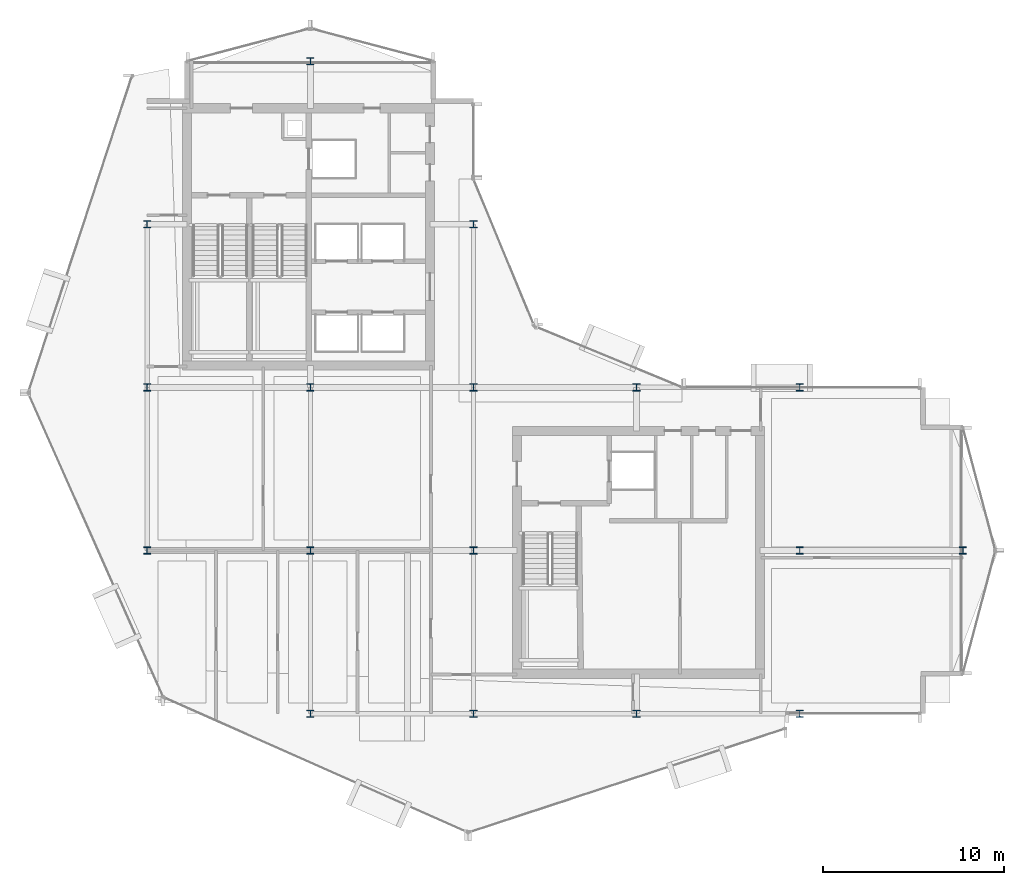
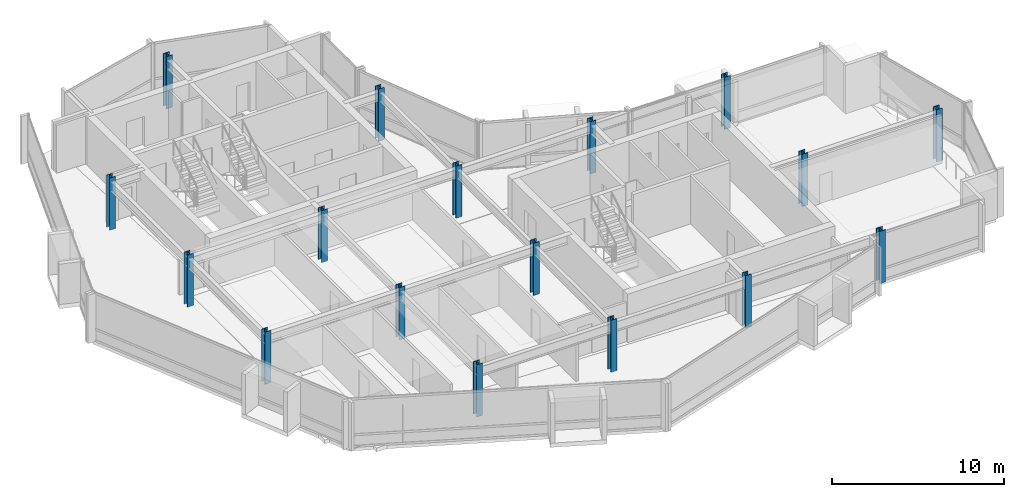
# One storey, part 1 of 27: 17 columns.
"""IFC4 building model written with IfcOpenShell, lengths in metres."""

from ifc_helpers import new_model, si_unit, direction, frame, origin, origin_2d, place, context, subcontext, project, spatial, i_section, extrude, material, material_profile, profile_set, type_object, element, save


model = new_model("IFC4")

# Units and contexts
model_context = context("Model", 3, precision=1e-05, world=origin(), true_north=direction((0.0, 1.0)))
body_context = subcontext(model_context, "Body", "Model", "MODEL_VIEW")
ifc_project = project(units=[si_unit("LENGTHUNIT", "METRE"), si_unit("AREAUNIT", "SQUARE_METRE"), si_unit("VOLUMEUNIT", "CUBIC_METRE"), si_unit("PLANEANGLEUNIT", "RADIAN"), si_unit("MASSUNIT", "GRAM", prefix="KILO")], contexts=[model_context])

# Site, building, storey
site_placement = place(None, origin())
site = spatial("IfcSite", under=ifc_project, at=site_placement, CompositionType="ELEMENT")
building_placement = place(site_placement, origin())
building = spatial("IfcBuilding", under=site, at=building_placement, Name="Solvaryn Broadcast Tower", CompositionType="ELEMENT")
storey_placement = place(building_placement, frame((0.0, 0.0, 221.0)))
storey = spatial("IfcBuildingStorey", under=building, at=storey_placement, Name="L55", CompositionType="ELEMENT", Elevation=221.0)

# Columns
ifc_material_1 = material(Name="Steel ASTM A913 Grade 65", Category="steel")
ifc_material_profile_1 = material_profile(ifc_material_1, i_section(OverallWidth=0.40087890625, OverallDepth=0.39892578125, WebThickness=0.02490234375, FlangeThickness=0.03955078125, FilletRadius=0.014892578125, at=origin_2d()))
ifc_profile_set_1 = profile_set([ifc_material_profile_1], Name="Steel ASTM A913 Grade 65")
column_type_1 = type_object("IfcColumnType", Name="COL-C08E-W14X211", PredefinedType="COLUMN", material=ifc_profile_set_1)
for number, where, z_axis, x_axis, name in (
    (1, (9.0, 18.0, 0.0), (0.0, 0.0, 1.0), (1.0, 0.0, 0.0), "L55 Column (9.0, 18.0)"),
    (2, (9.0, 27.0, 0.0), (0.0, 0.0, 1.0), (1.0, 0.0, 0.0), "L55 Column (9.0, 27.0)"),
    (3, (9.0, 36.0, 0.0), (0.0, 0.0, 1.0), (1.0, 0.0, 0.0), "L55 Column (9.0, 36.0)"),
    (4, (18.0, 9.0, 0.0), (0.0, 0.0, 1.0), (1.0, 0.0, 0.0), "L55 Column (18.0, 9.0)"),
    (5, (18.0, 45.0, 0.0), (0.0, 0.0, 1.0), (1.0, 0.0, 0.0), "L55 Column (18.0, 45.0)"),
    (6, (27.0, 9.0, 0.0), (0.0, 0.0, 1.0), (1.0, 0.0, 0.0), "L55 Column (27.0, 9.0)"),
    (7, (27.0, 36.0, 0.0), (0.0, 0.0, 1.0), (1.0, 0.0, 0.0), "L55 Column (27.0, 36.0)"),
    (8, (36.0, 9.0, 0.0), (0.0, 0.0, 1.0), (1.0, 0.0, 0.0), "L55 Column (36.0, 9.0)"),
    (9, (36.0, 27.0, 0.0), (0.0, 0.0, 1.0), (1.0, 0.0, 0.0), "L55 Column (36.0, 27.0)"),
    (10, (45.0, 9.0, 0.0), (0.0, 0.0, 1.0), (1.0, 0.0, 0.0), "L55 Column (45.0, 9.0)"),
    (11, (45.0, 27.0, 0.0), (0.0, 0.0, 1.0), (1.0, 0.0, 0.0), "L55 Column (45.0, 27.0)"),
    (12, (54.0, 18.0, 0.0), (0.0, 0.0, 1.0), (1.0, 0.0, 0.0), "L55 Column (54.0, 18.0)"),
):
    element("IfcColumn", number, at=place(storey_placement, frame(where, z_axis=z_axis, x_axis=x_axis)), inside=storey, type_object=column_type_1, Name=name, PredefinedType="COLUMN", context=body_context, shape_type="SweptSolid", body=[
        extrude(i_section(OverallWidth=0.40087890625, OverallDepth=0.39892578125, WebThickness=0.02490234375, FlangeThickness=0.03955078125, FilletRadius=0.014892578125, at=origin_2d()), origin(), (0.0, 0.0, 1.0), 3.699951171875),
    ])
ifc_material_2 = material(Name="Steel ASTM A913 Grade 65", Category="steel")
ifc_material_profile_2 = material_profile(ifc_material_2, i_section(OverallWidth=0.40087890625, OverallDepth=0.39892578125, WebThickness=0.02490234375, FlangeThickness=0.03955078125, FilletRadius=0.014892578125, at=origin_2d()))
ifc_profile_set_2 = profile_set([ifc_material_profile_2], Name="Steel ASTM A913 Grade 65")
column_type_2 = type_object("IfcColumnType", Name="COL-C08I-W14X211", PredefinedType="COLUMN", material=ifc_profile_set_2)
for number, where, z_axis, x_axis, name in (
    (13, (18.0, 18.0, 0.0), (0.0, 0.0, 1.0), (1.0, 0.0, 0.0), "L55 Column (18.0, 18.0)"),
    (14, (18.0, 27.0, 0.0), (0.0, 0.0, 1.0), (1.0, 0.0, 0.0), "L55 Column (18.0, 27.0)"),
    (15, (27.0, 18.0, 0.0), (0.0, 0.0, 1.0), (1.0, 0.0, 0.0), "L55 Column (27.0, 18.0)"),
    (16, (27.0, 27.0, 0.0), (0.0, 0.0, 1.0), (1.0, 0.0, 0.0), "L55 Column (27.0, 27.0)"),
    (17, (45.0, 18.0, 0.0), (0.0, 0.0, 1.0), (1.0, 0.0, 0.0), "L55 Column (45.0, 18.0)"),
):
    element("IfcColumn", number, at=place(storey_placement, frame(where, z_axis=z_axis, x_axis=x_axis)), inside=storey, type_object=column_type_2, Name=name, PredefinedType="COLUMN", context=body_context, shape_type="SweptSolid", body=[
        extrude(i_section(OverallWidth=0.40087890625, OverallDepth=0.39892578125, WebThickness=0.02490234375, FlangeThickness=0.03955078125, FilletRadius=0.014892578125, at=origin_2d()), origin(), (0.0, 0.0, 1.0), 3.699951171875),
    ])

save(model, "model.ifc")
